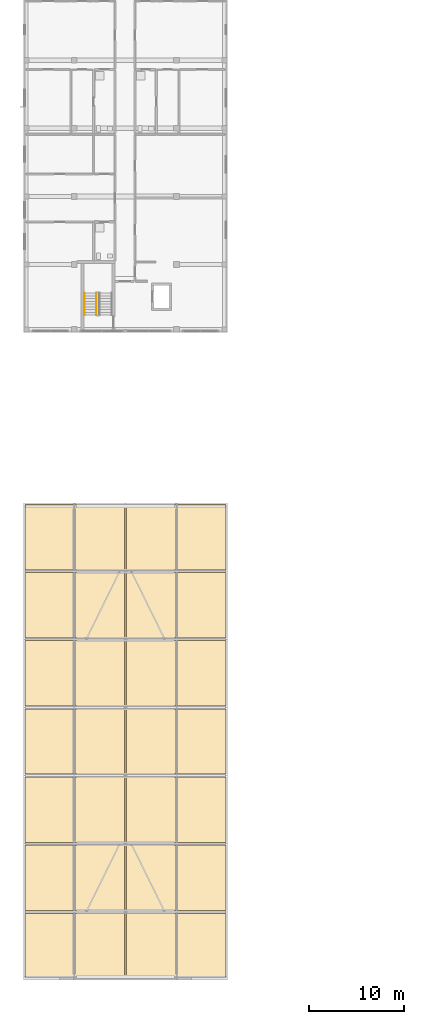
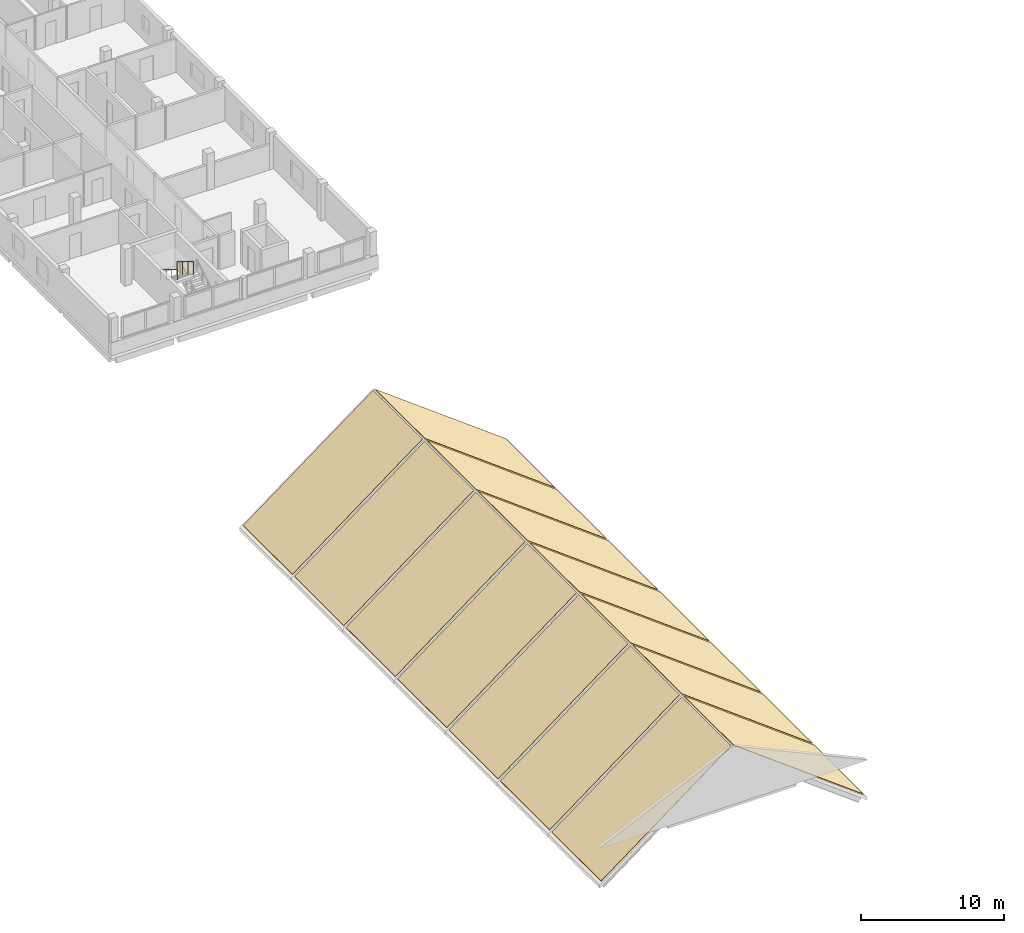
# One storey, part 24 of 35: 14 coverings, 2 railings.
"""IFC4 building model written with IfcOpenShell, lengths in metres."""

from ifc_helpers import new_model, si_unit, derived_unit, direction, frame, origin, origin_2d, place, context, subcontext, project, spatial, polyline, circle, outline, extrude, material, layer, layer_set, type_object, element, save


model = new_model("IFC4")

# Units and contexts
model_context = context("Model", 3, precision=1e-05, world=origin(), true_north=direction((0.0, 1.0)))
body_context = subcontext(model_context, "Body", "Model", "MODEL_VIEW")
ifc_project = project(units=[si_unit("LENGTHUNIT", "METRE"), si_unit("AREAUNIT", "SQUARE_METRE"), si_unit("VOLUMEUNIT", "CUBIC_METRE"), si_unit("PLANEANGLEUNIT", "RADIAN"), si_unit("MASSUNIT", "GRAM", prefix="KILO"), derived_unit("THERMALTRANSMITTANCEUNIT", [(si_unit("MASSUNIT", "GRAM", prefix="KILO"), 1), (si_unit("TIMEUNIT", "SECOND"), -3), (si_unit("THERMODYNAMICTEMPERATUREUNIT", "KELVIN"), -1)])], contexts=[model_context])

# Site, building, storey
site_placement = place(None, origin())
site = spatial("IfcSite", under=ifc_project, at=site_placement, CompositionType="ELEMENT")
building_placement = place(site_placement, origin())
building = spatial("IfcBuilding", under=site, at=building_placement, Name="Ochrekiln Boulevard Commons", CompositionType="ELEMENT")
storey_placement = place(building_placement, frame((0.0, 0.0, 30.97509765625)))
storey = spatial("IfcBuildingStorey", under=building, at=storey_placement, Name="L09", CompositionType="ELEMENT", Elevation=30.97509765625)

# Coverings
ifc_material_1 = material(Name="Crystalline silicon BIPV solar roof slate", Category="masonry")
ifc_layer = layer(ifc_material_1, 0.044921875)
ifc_layer_set = layer_set([ifc_layer], Name="Crystalline silicon BIPV solar roof slate")
covering_type = type_object("IfcCoveringType", Name="COV-ROOF-SOLAR", PredefinedType="ROOFING", material=ifc_layer_set)
for number, where, z_axis, x_axis, name in (
    (1, (0.199951171875, 7.050048828125, -3.505126953125), (0.0, -1.0, 0.0), (1.0, 0.0, 0.0), "Block D BIPV Solar Roof Array Bay 1W"),
    (2, (21.39990234375, 0.14990234375, -3.505126953125), (0.0, 1.0, 0.0), (-1.0, 0.0, 0.0), "Block D BIPV Solar Roof Array Bay 1E"),
    (3, (0.199951171875, 14.25, -3.505126953125), (0.0, -1.0, 0.0), (1.0, 0.0, 0.0), "Block D BIPV Solar Roof Array Bay 2W"),
    (4, (21.39990234375, 7.35009765625, -3.505126953125), (0.0, 1.0, 0.0), (-1.0, 0.0, 0.0), "Block D BIPV Solar Roof Array Bay 2E"),
    (5, (0.199951171875, 21.449951171875, -3.505126953125), (0.0, -1.0, 0.0), (1.0, 0.0, 0.0), "Block D BIPV Solar Roof Array Bay 3W"),
    (6, (21.39990234375, 14.550048828125, -3.505126953125), (0.0, 1.0, 0.0), (-1.0, 0.0, 0.0), "Block D BIPV Solar Roof Array Bay 3E"),
    (7, (0.199951171875, 28.64990234375, -3.505126953125), (0.0, -1.0, 0.0), (1.0, 0.0, 0.0), "Block D BIPV Solar Roof Array Bay 4W"),
    (8, (21.39990234375, 21.75, -3.505126953125), (0.0, 1.0, 0.0), (-1.0, 0.0, 0.0), "Block D BIPV Solar Roof Array Bay 4E"),
    (9, (0.199951171875, 35.85009765625, -3.505126953125), (0.0, -1.0, 0.0), (1.0, 0.0, 0.0), "Block D BIPV Solar Roof Array Bay 5W"),
    (10, (21.39990234375, 28.949951171875, -3.505126953125), (0.0, 1.0, 0.0), (-1.0, 0.0, 0.0), "Block D BIPV Solar Roof Array Bay 5E"),
    (11, (0.199951171875, 43.050048828125, -3.505126953125), (0.0, -1.0, 0.0), (1.0, 0.0, 0.0), "Block D BIPV Solar Roof Array Bay 6W"),
    (12, (21.39990234375, 36.14990234375, -3.505126953125), (0.0, 1.0, 0.0), (-1.0, 0.0, 0.0), "Block D BIPV Solar Roof Array Bay 6E"),
    (13, (0.199951171875, 50.25, -3.505126953125), (0.0, -1.0, 0.0), (1.0, 0.0, 0.0), "Block D BIPV Solar Roof Array Bay 7W"),
    (14, (21.39990234375, 43.35009765625, -3.505126953125), (0.0, 1.0, 0.0), (-1.0, 0.0, 0.0), "Block D BIPV Solar Roof Array Bay 7E"),
):
    element("IfcCovering", number, at=place(storey_placement, frame(where, z_axis=z_axis, x_axis=x_axis)), inside=storey, type_object=covering_type, Name=name, PredefinedType="ROOFING", context=body_context, shape_type="SweptSolid", body=[
        extrude(outline(polyline([(0.0, 0.0), (10.5, 7.875), (10.5, 7.81884765625), (0.0, -0.05615234375), (0.0, 0.0)])), origin(), (0.0, 0.0, 1.0), 6.89990234375),
    ])

# Railings
ifc_material_2 = material(Name="Brushed stainless steel 316 tubular railing", Category="steel")
railing_type_1 = type_object("IfcRailingType", Name="RLG-HDR-900", PredefinedType="HANDRAIL", material=ifc_material_2)
railing_1_placement = place(storey_placement, frame((6.449951171875, 72.590087890625, 1.75)))
element("IfcRailing", 15, at=railing_1_placement, inside=storey, type_object=railing_type_1, Name="L09 ST-A1 stair handrail 2", PredefinedType="HANDRAIL", context=body_context, shape_type="SweptSolid", body=[
    extrude(circle(Radius=0.02392578125, at=origin_2d()), frame((0.0, 0.0, 0.8759765625), z_axis=(0.0, -0.85621033714, 0.516627388526), x_axis=(1.0, 0.0, 0.0)), (0.0, 0.0, 1.0), 2.709716796875),
    extrude(circle(Radius=0.02099609375, at=origin_2d()), origin(), (0.0, 0.0, 1.0), 0.851806640625),
    extrude(circle(Radius=0.02099609375, at=origin_2d()), frame((0.0, -0.7734375, 0.466552734375)), (0.0, 0.0, 1.0), 0.851806640625),
    extrude(circle(Radius=0.02099609375, at=origin_2d()), frame((0.0, -1.546630859375, 0.933349609375)), (0.0, 0.0, 1.0), 0.851806640625),
    extrude(circle(Radius=0.02099609375, at=origin_2d()), frame((0.0, -2.320068359375, 1.39990234375)), (0.0, 0.0, 1.0), 0.851806640625),
])
railing_type_2 = type_object("IfcRailingType", Name="RLG-STR-1120", PredefinedType="BALUSTRADE", material=ifc_material_2)
railing_2_placement = place(storey_placement, frame((7.75, 72.590087890625, 1.75)))
element("IfcRailing", 16, at=railing_2_placement, inside=storey, type_object=railing_type_2, Name="L09 ST-A1 stair guard 3", PredefinedType="BALUSTRADE", context=body_context, shape_type="SweptSolid", body=[
    extrude(circle(Radius=0.02392578125, at=origin_2d()), frame((0.0, 0.0, 1.09619140625), z_axis=(0.0, -0.85621033714, 0.516627388526), x_axis=(1.0, 0.0, 0.0)), (0.0, 0.0, 1.0), 2.709716796875),
    extrude(circle(Radius=0.02099609375, at=origin_2d()), origin(), (0.0, 0.0, 1.0), 1.072021484375),
    extrude(circle(Radius=0.02099609375, at=origin_2d()), frame((0.0, -0.7734375, 0.466552734375)), (0.0, 0.0, 1.0), 1.072021484375),
    extrude(circle(Radius=0.02099609375, at=origin_2d()), frame((0.0, -1.546630859375, 0.933349609375)), (0.0, 0.0, 1.0), 1.072021484375),
    extrude(circle(Radius=0.02099609375, at=origin_2d()), frame((0.0, -2.320068359375, 1.39990234375)), (0.0, 0.0, 1.0), 1.072021484375),
])

save(model, "model.ifc")
